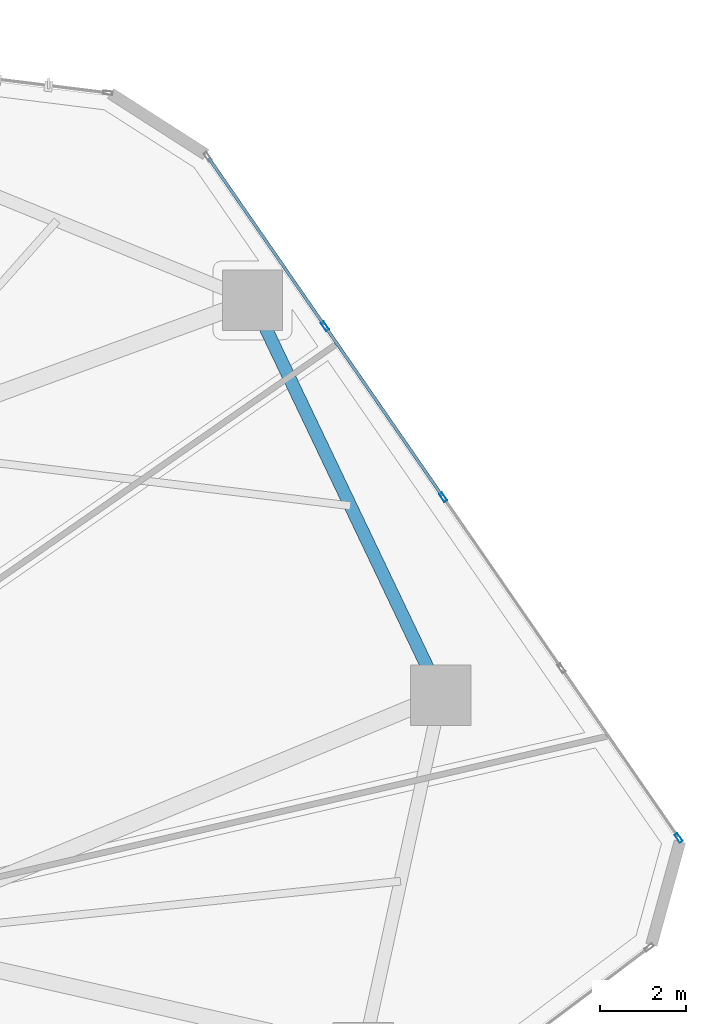
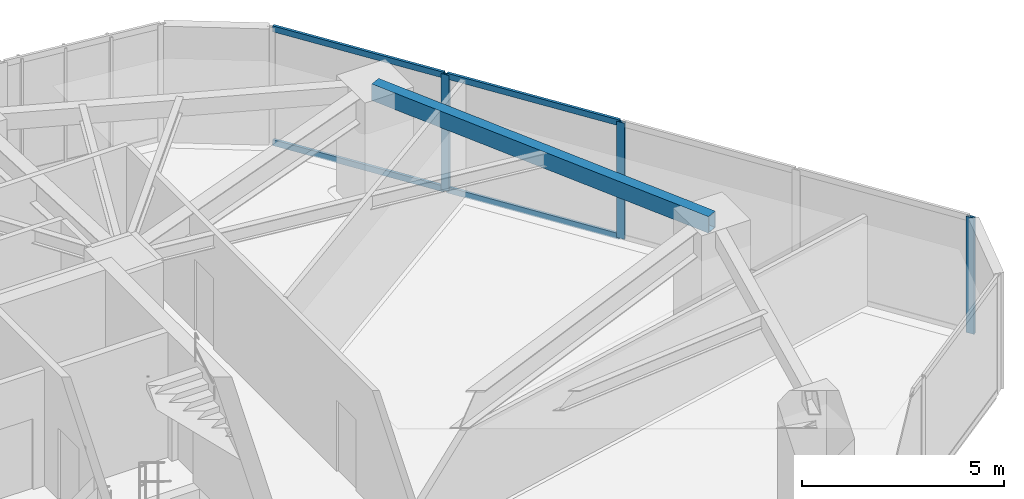
# One storey, part 13 of 23: 7 members, 1 beam, 1 element without a shape of its own.
"""IFC4 building model written with IfcOpenShell, lengths in metres."""

from ifc_helpers import new_model, si_unit, direction, frame, origin, origin_2d, place, context, subcontext, project, spatial, hollow_rectangle, extrude, source, transform, mapped, material, layer, layer_set, material_profile, profile_set, type_object, type_shapes, element, aggregate, save


model = new_model("IFC4")

# Units and contexts
model_context = context("Model", 3, precision=1e-05, world=origin(), true_north=direction((0.0, 1.0)))
body_context = subcontext(model_context, "Body", "Model", "MODEL_VIEW")
ifc_project = project(units=[si_unit("LENGTHUNIT", "METRE"), si_unit("AREAUNIT", "SQUARE_METRE"), si_unit("VOLUMEUNIT", "CUBIC_METRE"), si_unit("PLANEANGLEUNIT", "RADIAN"), si_unit("MASSUNIT", "GRAM", prefix="KILO")], contexts=[model_context])

# Site, building, storey
site_placement = place(None, origin())
site = spatial("IfcSite", under=ifc_project, at=site_placement, CompositionType="ELEMENT")
building_placement = place(site_placement, origin())
building = spatial("IfcBuilding", under=site, at=building_placement, Name="Talar Marvaseh", CompositionType="ELEMENT")
storey_placement = place(building_placement, frame((0.0, 0.0, 69.60009765625)))
storey = spatial("IfcBuildingStorey", under=building, at=storey_placement, Name="L17", CompositionType="ELEMENT", Elevation=69.60009765625)

# Beam
ifc_material_1 = material(Name="Steel S355", Category="steel")
ifc_material_profile_1 = material_profile(ifc_material_1, hollow_rectangle(XDim=0.300048828125, YDim=0.5, WallThickness=0.02001953125, at=origin_2d()), Name="RHS500x300x20")
ifc_profile_set_1 = profile_set([ifc_material_profile_1], Name="Steel S355")
beam_type = type_object("IfcBeamType", Name="Zone 1 Perimeter Spandrel Beam RHS500x300x20", PredefinedType="SPANDREL", material=ifc_profile_set_1)
beam_placement = place(storey_placement, frame((42.47705078125, 40.26904296875, 3.27001953125), z_axis=(0.430480372911, -0.902599938255, 0.0), x_axis=(0.902599938255, 0.430480372911, 0.0)))
element("IfcBeam", 1, at=beam_placement, inside=storey, type_object=beam_type, Name="L17 Zone 1 Perimeter Spandrel Beam RHS500x300x20", PredefinedType="SPANDREL", context=body_context, shape_type="SweptSolid", body=[
    extrude(hollow_rectangle(XDim=0.300048828125, YDim=0.5, WallThickness=0.02001953125, at=origin_2d()), origin(), (0.0, 0.0, 1.0), 10.137451171875),
])

# Curtain wall, members
ifc_material_2 = material(Name="Architectural Aluminium", Category="aluminium")
ifc_layer = layer(ifc_material_2, 0.219970703125)
ifc_layer_set = layer_set([ifc_layer], Name="Architectural Aluminium")
curtain_wall_type = type_object("IfcCurtainWallType", Name="Unitised Low-E Museum Curtain Wall Z1", PredefinedType="NOTDEFINED", material=ifc_layer_set)
curtain_wall_placement = place(storey_placement, origin())
curtain_wall = element("IfcCurtainWall", 2, at=curtain_wall_placement, inside=storey, type_object=curtain_wall_type, Name="L17 Unitised Low-E Museum Curtain Wall Z1", PredefinedType="NOTDEFINED")
ifc_material_profile_2 = material_profile(ifc_material_2, hollow_rectangle(XDim=0.080078125, YDim=0.219970703125, WallThickness=0.0048828125, at=origin_2d()), Name="RHS220x80x5")
ifc_profile_set_2 = profile_set([ifc_material_profile_2], Name="Architectural Aluminium")
member_type_1 = type_object("IfcMemberType", Name="Unitised Curtain Wall Heavy Mullion RHS220x80x5", PredefinedType="MULLION", material=ifc_profile_set_2)
shared_shape_1 = source(origin(), body_context, "Body", "SweptSolid", [
    extrude(hollow_rectangle(XDim=0.080078125, YDim=0.219970703125, WallThickness=0.0048828125, at=origin_2d()), origin(), (0.0, 0.0, 1.0), 3.52001953125),
])
type_shapes(member_type_1, [shared_shape_1])
member_1_placement = place(storey_placement, frame((44.155517578125, 39.669677734375, 0.0), z_axis=(0.0, 0.0, 1.0), x_axis=(0.822602682071, 0.568616590902, 0.0)))
member_1 = element("IfcMember", 3, at=member_1_placement, type_object=member_type_1, Name="CW-Z1 mullion 2", PredefinedType="MULLION", context=body_context, shape_type="MappedRepresentation", body=[
    mapped(shared_shape_1, transform((0.0, 0.0, 0.0), x_axis=(1.0, 0.0, 0.0), y_axis=(0.0, 1.0, 0.0), z_axis=(0.0, 0.0, 1.0), scale=1.0)),
])
member_2_placement = place(storey_placement, frame((46.894287109375, 35.70751953125, 0.0), z_axis=(0.0, 0.0, 1.0), x_axis=(0.822602682071, 0.568616590902, 0.0)))
member_2 = element("IfcMember", 4, at=member_2_placement, type_object=member_type_1, Name="CW-Z1 mullion 3", PredefinedType="MULLION", context=body_context, shape_type="MappedRepresentation", body=[
    mapped(shared_shape_1, transform((0.0, 0.0, 0.0), x_axis=(1.0, 0.0, 0.0), y_axis=(0.0, 1.0, 0.0), z_axis=(0.0, 0.0, 1.0), scale=1.0)),
])
member_3_placement = place(storey_placement, frame((52.34912109375, 27.816162109375, 0.0), z_axis=(0.0, 0.0, 1.0), x_axis=(0.822602682071, 0.568616590902, 0.0)))
member_3 = element("IfcMember", 5, at=member_3_placement, type_object=member_type_1, Name="CW-Z1 mullion 5", PredefinedType="MULLION", context=body_context, shape_type="MappedRepresentation", body=[
    mapped(shared_shape_1, transform((0.0, 0.0, 0.0), x_axis=(1.0, 0.0, 0.0), y_axis=(0.0, 1.0, 0.0), z_axis=(0.0, 0.0, 1.0), scale=1.0)),
])
ifc_material_profile_3 = material_profile(ifc_material_2, hollow_rectangle(XDim=0.074951171875, YDim=0.179931640625, WallThickness=0.0048828125, at=origin_2d()), Name="RHS180x75x5")
ifc_profile_set_3 = profile_set([ifc_material_profile_3], Name="Architectural Aluminium")
member_type_2 = type_object("IfcMemberType", Name="Unitised Curtain Wall Transom RHS180x75x5", PredefinedType="USERDEFINED", material=ifc_profile_set_3)
shared_shape_2 = source(origin(), body_context, "Body", "SweptSolid", [
    extrude(hollow_rectangle(XDim=0.074951171875, YDim=0.179931640625, WallThickness=0.0048828125, at=origin_2d()), origin(), (0.0, 0.0, 1.0), 4.736572265625),
])
member_4_placement = place(storey_placement, frame((44.17822265625, 39.636962890625, 0.037353515625), z_axis=(0.568574588821, -0.822631714041, 0.0), x_axis=(0.822631714041, 0.568574588821, 0.0)))
member_4 = element("IfcMember", 6, at=member_4_placement, type_object=member_type_2, Name="CW-Z1 transom 2.1", ObjectType="TRANSOM", PredefinedType="USERDEFINED", context=body_context, shape_type="MappedRepresentation", body=[
    mapped(shared_shape_2, transform((0.0, 0.0, 0.0), x_axis=(1.0, 0.0, 0.0), y_axis=(0.0, 1.0, 0.0), z_axis=(0.0, 0.0, 1.0), scale=1.0)),
])
member_5_placement = place(storey_placement, frame((44.17822265625, 39.636962890625, 3.482421875), z_axis=(0.568574588821, -0.822631714041, 0.0), x_axis=(0.822631714041, 0.568574588821, 0.0)))
member_5 = element("IfcMember", 7, at=member_5_placement, type_object=member_type_2, Name="CW-Z1 transom 2.2", ObjectType="TRANSOM", PredefinedType="USERDEFINED", context=body_context, shape_type="MappedRepresentation", body=[
    mapped(shared_shape_2, transform((0.0, 0.0, 0.0), x_axis=(1.0, 0.0, 0.0), y_axis=(0.0, 1.0, 0.0), z_axis=(0.0, 0.0, 1.0), scale=1.0)),
])
shared_shape_3 = source(origin(), body_context, "Body", "SweptSolid", [
    extrude(hollow_rectangle(XDim=0.074951171875, YDim=0.179931640625, WallThickness=0.0048828125, at=origin_2d()), origin(), (0.0, 0.0, 1.0), 4.696533203125),
])
type_shapes(member_type_2, [shared_shape_2, shared_shape_3])
member_6_placement = place(storey_placement, frame((41.462158203125, 43.566162109375, 0.037353515625), z_axis=(0.568585399995, -0.822624241627, 0.0), x_axis=(0.822624241627, 0.568585399995, 0.0)))
member_6 = element("IfcMember", 8, at=member_6_placement, type_object=member_type_2, Name="CW-Z1 transom 1.1", ObjectType="TRANSOM", PredefinedType="USERDEFINED", context=body_context, shape_type="MappedRepresentation", body=[
    mapped(shared_shape_3, transform((0.0, 0.0, 0.0), x_axis=(1.0, 0.0, 0.0), y_axis=(0.0, 1.0, 0.0), z_axis=(0.0, 0.0, 1.0), scale=1.0)),
])
member_7_placement = place(storey_placement, frame((41.462158203125, 43.566162109375, 3.482421875), z_axis=(0.568585399995, -0.822624241627, 0.0), x_axis=(0.822624241627, 0.568585399995, 0.0)))
member_7 = element("IfcMember", 9, at=member_7_placement, type_object=member_type_2, Name="CW-Z1 transom 1.2", ObjectType="TRANSOM", PredefinedType="USERDEFINED", context=body_context, shape_type="MappedRepresentation", body=[
    mapped(shared_shape_3, transform((0.0, 0.0, 0.0), x_axis=(1.0, 0.0, 0.0), y_axis=(0.0, 1.0, 0.0), z_axis=(0.0, 0.0, 1.0), scale=1.0)),
])
aggregate(curtain_wall, [member_1, member_2, member_3, member_6, member_7, member_4, member_5])

save(model, "model.ifc")
